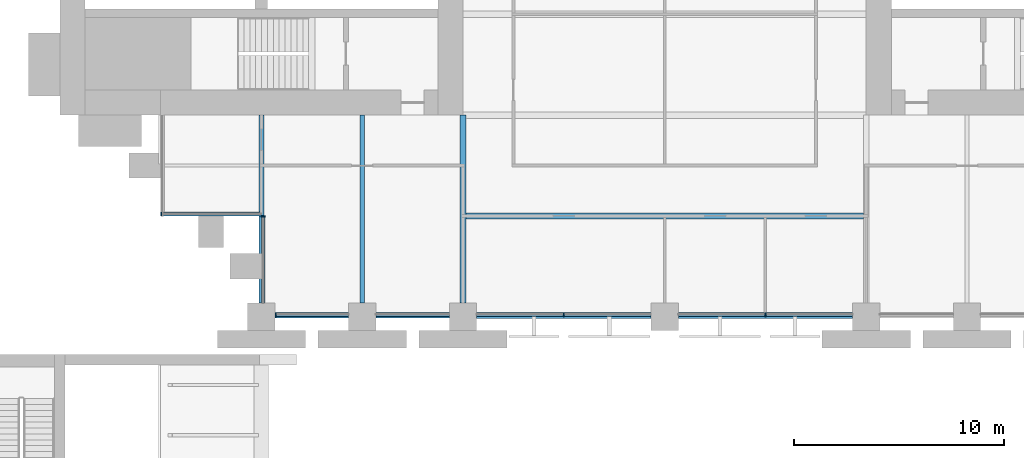
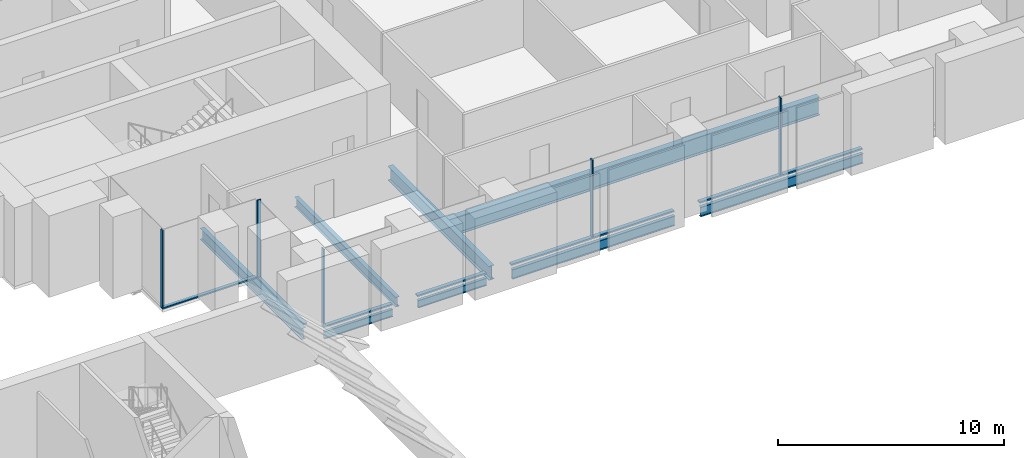
# One storey, part 6 of 30: 11 members, 8 beams, 3 elements without a shape of their own.
"""IFC4 building model written with IfcOpenShell, lengths in metres."""

import ifcopenshell
import ifcopenshell.guid

model = None  # the IFC model being written
_history = None  # IfcOwnerHistory: only IFC2X3 demands one
_inside = {}  # id of a spatial element -> (the spatial element, [elements in it])
_under = {}  # id of a project, library or spatial element -> (it, [spatial elements below it])
_declared = {}  # id of a project -> (the project, [libraries it declares])
_typed = {}  # id of a type object -> (the type object, [elements of that type])
_made_of = {}  # id of a material, layer set ... -> (it, [elements and type objects made of it])


def new_model(schema):
    """Start an empty IFC model of exactly this schema.

    Asked for "IFC4X3", IfcOpenShell would pick the latest addendum, in which some entities
    have other attributes; the version numbers below select the first issue.
    IFC2X3 requires an IfcOwnerHistory on every rooted entity: one is made here for all.
    """
    global model, _history
    if schema == "IFC4X3":
        model = ifcopenshell.file(schema_version=(4, 3, 0, 0))
    else:
        model = ifcopenshell.file(schema=schema)
    _inside.clear()
    _under.clear()
    _declared.clear()
    _typed.clear()
    _made_of.clear()
    _history = None
    if model.schema == "IFC2X3":
        org = make("IfcOrganization", Name="unknown")
        user = make(
            "IfcPersonAndOrganization",
            ThePerson=make("IfcPerson", FamilyName="unknown"),
            TheOrganization=org,
        )
        app = make(
            "IfcApplication",
            ApplicationDeveloper=org,
            Version="unknown",
            ApplicationFullName="unknown",
            ApplicationIdentifier="unknown",
        )
        _history = make(
            "IfcOwnerHistory",
            OwningUser=user,
            OwningApplication=app,
            ChangeAction="ADDED",
            CreationDate=0,
        )
    return model


def make(cls, **values):
    """One entity of the class cls with the attributes given. An attribute that is None is left unset."""
    return model.create_entity(
        cls, **{name: value for name, value in values.items() if value is not None}
    )


def rooted(cls, **values):
    """An entity with a GlobalId (a new one), such as an element, a storey or a relation."""
    return make(cls, GlobalId=ifcopenshell.guid.new(), OwnerHistory=_history, **values)


def si_unit(unit_type, name, prefix=None):
    """IfcSIUnit, for example si_unit("LENGTHUNIT", "METRE", prefix="MILLI")."""
    return make("IfcSIUnit", UnitType=unit_type, Prefix=prefix, Name=name)


def assignment(units):
    """IfcUnitAssignment: the units of a project."""
    return None if units is None else make("IfcUnitAssignment", Units=units)


def point(xyz):
    """IfcCartesianPoint."""
    return None if xyz is None else make("IfcCartesianPoint", Coordinates=xyz)


def direction(xyz):
    """IfcDirection."""
    return None if xyz is None else make("IfcDirection", DirectionRatios=xyz)


def frame(location, z_axis=None, x_axis=None):
    """IfcAxis2Placement3D, a coordinate frame: its origin and axes. An axis left out is left unset."""
    return make(
        "IfcAxis2Placement3D",
        Location=point(location),
        Axis=direction(z_axis),
        RefDirection=direction(x_axis),
    )


def frame_2d(location, x_axis=None):
    """IfcAxis2Placement2D, a coordinate frame in the plane: its origin and x axis."""
    return make(
        "IfcAxis2Placement2D", Location=point(location), RefDirection=direction(x_axis)
    )


def origin():
    """The frame at (0, 0, 0) with its axes left unset."""
    return frame((0.0, 0.0, 0.0))


def origin_2d():
    """The frame at (0, 0) in the plane with its x axis left unset."""
    return frame_2d((0.0, 0.0))


def place(relative_to, where):
    """IfcLocalPlacement: puts the frame where relative to a parent placement (None: the world)."""
    return make(
        "IfcLocalPlacement", PlacementRelTo=relative_to, RelativePlacement=where
    )


def context(
    kind, dimensions, precision=None, world=None, true_north=None, identifier=None
):
    """IfcGeometricRepresentationContext, for example the 3D "Model" context."""
    return make(
        "IfcGeometricRepresentationContext",
        ContextIdentifier=identifier,
        ContextType=kind,
        CoordinateSpaceDimension=dimensions,
        Precision=precision,
        WorldCoordinateSystem=world,
        TrueNorth=true_north,
    )


def subcontext(parent, identifier, kind, view, scale=None):
    """IfcGeometricRepresentationSubContext, for example "Body" below "Model"."""
    return make(
        "IfcGeometricRepresentationSubContext",
        ContextIdentifier=identifier,
        ContextType=kind,
        ParentContext=parent,
        TargetScale=scale,
        TargetView=view,
    )


def project(units=None, contexts=None):
    """IfcProject with its units and contexts."""
    return rooted(
        "IfcProject",
        Name="project",
        RepresentationContexts=contexts,
        UnitsInContext=assignment(units),
    )


def spatial(cls, under=None, at=None, **own):
    """A site, building, storey or space (cls), placed at a placement, below another one or the project."""
    s = rooted(cls, ObjectPlacement=at, **own)
    if under is not None:
        _under.setdefault(under.id(), (under, []))[1].append(s)
    return s


def profile(cls, at=None, kind="AREA", **sizes):
    """A parametric profile (cls). Its sizes go by their IFC names, for example OverallWidth=200.0."""
    return make(cls, ProfileType=kind, Position=at, **sizes)


def rectangle(**sizes):
    """IfcRectangleProfileDef."""
    return profile("IfcRectangleProfileDef", **sizes)


def i_section(**sizes):
    """IfcIShapeProfileDef."""
    return profile("IfcIShapeProfileDef", **sizes)


def extrude(swept, where, along, depth):
    """IfcExtrudedAreaSolid: the profile swept, set in the frame where, extruded along a direction by depth."""
    return make(
        "IfcExtrudedAreaSolid",
        SweptArea=swept,
        Position=where,
        ExtrudedDirection=direction(along),
        Depth=depth,
    )


def shape(context_of_items, identifier, shape_type, items):
    """IfcShapeRepresentation: the items that make up one representation, for example the "Body"."""
    return make(
        "IfcShapeRepresentation",
        ContextOfItems=context_of_items,
        RepresentationIdentifier=identifier,
        RepresentationType=shape_type,
        Items=items,
    )


def material(Name=None, Category=None):
    """IfcMaterial."""
    return make("IfcMaterial", Name=Name, Category=Category)


def material_profile(
    of_material, cross_section, Name=None, Category=None, Priority=None
):
    """IfcMaterialProfile: a cross section and its material."""
    return make(
        "IfcMaterialProfile",
        Name=Name,
        Material=of_material,
        Profile=cross_section,
        Priority=Priority,
        Category=Category,
    )


def profile_set(profiles, Name=None, composite=None):
    """IfcMaterialProfileSet."""
    return make(
        "IfcMaterialProfileSet",
        Name=Name,
        MaterialProfiles=profiles,
        CompositeProfile=composite,
    )


def made_of(thing, what):
    """Note that an element or type object is made of a material, layer set ...; save() writes the relation."""
    if what is not None:
        _made_of.setdefault(what.id(), (what, []))[1].append(thing)
    return thing


def type_object(cls, material=None, **own):
    """A type object (cls), such as IfcWallType, which elements share."""
    return made_of(rooted(cls, **own), material)


def element(
    cls,
    number,
    at=None,
    inside=None,
    cuts=None,
    type_object=None,
    material=None,
    context=None,
    identifier="Body",
    shape_type=None,
    held_by="IfcProductDefinitionShape",
    body=None,
    shapes=None,
    **own,
):
    """One element of the class cls, such as IfcWall. Its Tag is "e" and its number.

    at: its placement. inside: the storey or other place that contains it. cuts: it is an
    opening in that element (IfcRelVoidsElement). A single representation is given by context,
    identifier, shape_type and body (its items); several are given by shapes. held_by: the class
    of the entity that holds the representations. save() writes the other relations.
    """
    e = rooted(cls, Tag="e%d" % number, ObjectPlacement=at, **own)
    if body is not None:
        shapes = [shape(context, identifier, shape_type, body)]
    if shapes is not None:
        e.Representation = make(held_by, Representations=shapes)
    if inside is not None:
        _inside.setdefault(inside.id(), (inside, []))[1].append(e)
    if cuts is not None:
        rooted(
            "IfcRelVoidsElement", RelatingBuildingElement=cuts, RelatedOpeningElement=e
        )
    if type_object is not None:
        _typed.setdefault(type_object.id(), (type_object, []))[1].append(e)
    return made_of(e, material)


def aggregate(whole, parts):
    """IfcRelAggregates: a whole, such as a stair, and the parts it consists of."""
    return rooted("IfcRelAggregates", RelatingObject=whole, RelatedObjects=parts)


def save(model, path):
    """Write the relations noted so far, then the file.

    IfcRelAggregates (storeys below a building ...), IfcRelContainedInSpatialStructure (elements
    in a storey), IfcRelDefinesByType, IfcRelAssociatesMaterial and IfcRelDeclares: one each for
    every whole, place, type object, material and project.
    """
    for whole, parts in _under.values():
        aggregate(whole, parts)
    for where, things in _inside.values():
        rooted(
            "IfcRelContainedInSpatialStructure",
            RelatedElements=things,
            RelatingStructure=where,
        )
    for kind, things in _typed.values():
        rooted("IfcRelDefinesByType", RelatedObjects=things, RelatingType=kind)
    for what, things in _made_of.values():
        rooted("IfcRelAssociatesMaterial", RelatedObjects=things, RelatingMaterial=what)
    for by, libraries in _declared.values():
        rooted("IfcRelDeclares", RelatingContext=by, RelatedDefinitions=libraries)
    model.write(path)


model = new_model("IFC4")

# Units and contexts
model_context = context("Model", 3, precision=1e-05, world=origin(), true_north=direction((0.0, 1.0)))
body_context = subcontext(model_context, "Body", "Model", "MODEL_VIEW")
ifc_project = project(units=[si_unit("LENGTHUNIT", "METRE"), si_unit("AREAUNIT", "SQUARE_METRE"), si_unit("VOLUMEUNIT", "CUBIC_METRE"), si_unit("PLANEANGLEUNIT", "RADIAN"), si_unit("MASSUNIT", "GRAM", prefix="KILO")], contexts=[model_context])

# Site, building, storey
site_placement = place(None, origin())
site = spatial("IfcSite", under=ifc_project, at=site_placement, CompositionType="ELEMENT")
building_placement = place(site_placement, origin())
building = spatial("IfcBuilding", under=site, at=building_placement, Name="Baori Bourse Tower", CompositionType="ELEMENT")
storey_placement = place(building_placement, frame((0.0, 0.0, 17.0)))
storey = spatial("IfcBuildingStorey", under=building, at=storey_placement, Name="L02", CompositionType="ELEMENT", Elevation=17.0)

# Curtain wall, members
ifc_material_1 = material(Name="Pale anodised aluminium", Category="aluminium")
curtain_wall_type_1 = type_object("IfcCurtainWallType", Name="CW1 Curtain wall", PredefinedType="NOTDEFINED", material=ifc_material_1)
curtain_wall_1_placement = place(storey_placement, origin())
curtain_wall_1 = element("IfcCurtainWall", 1, at=curtain_wall_1_placement, inside=storey, type_object=curtain_wall_type_1, Name="Curtain wall CW1 L02 11", PredefinedType="NOTDEFINED")
ifc_material_2 = material(Name="Pale anodised aluminium", Category="aluminium")
ifc_material_profile_1 = material_profile(ifc_material_2, rectangle(XDim=0.199951171875, YDim=0.06005859375, at=origin_2d()), Name="Mullion 60x200")
ifc_profile_set_1 = profile_set([ifc_material_profile_1], Name="Pale anodised aluminium")
member_type_1 = type_object("IfcMemberType", Name="CW1 Curtain wall mullion", PredefinedType="MULLION", material=ifc_profile_set_1)
member_1_placement = place(storey_placement, frame((10.280029296875, 0.10009765625, 0.080078125), z_axis=(0.0, 0.0, 1.0), x_axis=(0.0, 1.0, 0.0)))
member_1 = element("IfcMember", 2, at=member_1_placement, type_object=member_type_1, Name="Curtain wall CW1 mullion", PredefinedType="MULLION", context=body_context, shape_type="SweptSolid", body=[
    extrude(rectangle(XDim=0.199951171875, YDim=0.06005859375, at=origin_2d()), origin(), (0.0, 0.0, 1.0), 4.159912109375),
])
member_2_placement = place(storey_placement, frame((24.0, 0.10009765625, 0.080078125), z_axis=(0.0, 0.0, 1.0), x_axis=(0.0, 1.0, 0.0)))
member_2 = element("IfcMember", 3, at=member_2_placement, type_object=member_type_1, Name="Curtain wall CW1 mullion", PredefinedType="MULLION", context=body_context, shape_type="SweptSolid", body=[
    extrude(rectangle(XDim=0.199951171875, YDim=0.06005859375, at=origin_2d()), origin(), (0.0, 0.0, 1.0), 4.159912109375),
])
member_3_placement = place(storey_placement, frame((33.60009765625, 0.10009765625, 0.080078125), z_axis=(0.0, 0.0, 1.0), x_axis=(0.0, 1.0, 0.0)))
member_3 = element("IfcMember", 4, at=member_3_placement, type_object=member_type_1, Name="Curtain wall CW1 mullion", PredefinedType="MULLION", context=body_context, shape_type="SweptSolid", body=[
    extrude(rectangle(XDim=0.199951171875, YDim=0.06005859375, at=origin_2d()), origin(), (0.0, 0.0, 1.0), 4.159912109375),
])
ifc_material_3 = material(Name="Pale anodised aluminium", Category="aluminium")
ifc_material_profile_2 = material_profile(ifc_material_3, rectangle(XDim=0.199951171875, YDim=0.080078125, at=origin_2d()), Name="Transom 80x200")
ifc_profile_set_2 = profile_set([ifc_material_profile_2], Name="Pale anodised aluminium")
member_type_2 = type_object("IfcMemberType", Name="CW1 Curtain wall transom", PredefinedType="USERDEFINED", material=ifc_profile_set_2)
member_4_placement = place(storey_placement, frame((10.25, 0.10009765625, 0.0400390625), z_axis=(1.0, 0.0, 0.0), x_axis=(0.0, 1.0, 0.0)))
member_4 = element("IfcMember", 5, at=member_4_placement, type_object=member_type_2, Name="Curtain wall CW1 sill rail", ObjectType="TRANSOM", PredefinedType="USERDEFINED", context=body_context, shape_type="SweptSolid", body=[
    extrude(rectangle(XDim=0.199951171875, YDim=0.080078125, at=origin_2d()), origin(), (0.0, 0.0, 1.0), 3.5),
])
member_5_placement = place(storey_placement, frame((15.050048828125, 0.10009765625, 0.0400390625), z_axis=(1.0, 0.0, 0.0), x_axis=(0.0, 1.0, 0.0)))
member_5 = element("IfcMember", 6, at=member_5_placement, type_object=member_type_2, Name="Curtain wall CW1 sill rail", ObjectType="TRANSOM", PredefinedType="USERDEFINED", context=body_context, shape_type="SweptSolid", body=[
    extrude(rectangle(XDim=0.199951171875, YDim=0.080078125, at=origin_2d()), origin(), (0.0, 0.0, 1.0), 3.5),
])
member_6_placement = place(storey_placement, frame((19.85009765625, 0.10009765625, 0.0400390625), z_axis=(1.0, 0.0, 0.0), x_axis=(0.0, 1.0, 0.0)))
member_6 = element("IfcMember", 7, at=member_6_placement, type_object=member_type_2, Name="Curtain wall CW1 sill rail", ObjectType="TRANSOM", PredefinedType="USERDEFINED", context=body_context, shape_type="SweptSolid", body=[
    extrude(rectangle(XDim=0.199951171875, YDim=0.080078125, at=origin_2d()), origin(), (0.0, 0.0, 1.0), 8.2998046875),
])
member_7_placement = place(storey_placement, frame((29.449951171875, 0.10009765625, 0.0400390625), z_axis=(1.0, 0.0, 0.0), x_axis=(0.0, 1.0, 0.0)))
member_7 = element("IfcMember", 8, at=member_7_placement, type_object=member_type_2, Name="Curtain wall CW1 sill rail", ObjectType="TRANSOM", PredefinedType="USERDEFINED", context=body_context, shape_type="SweptSolid", body=[
    extrude(rectangle(XDim=0.199951171875, YDim=0.080078125, at=origin_2d()), origin(), (0.0, 0.0, 1.0), 8.300048828125),
])
aggregate(curtain_wall_1, [member_4, member_1, member_5, member_6, member_2, member_7, member_3])

# Curtain wall, member
ifc_material_4 = material(Name="Pale anodised aluminium", Category="aluminium")
curtain_wall_type_2 = type_object("IfcCurtainWallType", Name="CW2 Curtain wall", PredefinedType="NOTDEFINED", material=ifc_material_4)
curtain_wall_2_placement = place(storey_placement, origin())
curtain_wall_2 = element("IfcCurtainWall", 9, at=curtain_wall_2_placement, inside=storey, type_object=curtain_wall_type_2, Name="Curtain wall CW2 L02 9", PredefinedType="NOTDEFINED")
ifc_material_5 = material(Name="Pale anodised aluminium", Category="aluminium")
ifc_material_profile_3 = material_profile(ifc_material_5, rectangle(XDim=0.179931640625, YDim=0.054931640625, at=origin_2d()), Name="Mullion 55x180")
ifc_profile_set_3 = profile_set([ifc_material_profile_3], Name="Pale anodised aluminium")
member_type_3 = type_object("IfcMemberType", Name="CW2 Curtain wall mullion", PredefinedType="MULLION", material=ifc_profile_set_3)
member_8_placement = place(storey_placement, frame((4.827392578125, 4.889892578125, 0.070068359375), z_axis=(0.0, 0.0, 1.0), x_axis=(0.0, 1.0, 0.0)))
member_8 = element("IfcMember", 10, at=member_8_placement, type_object=member_type_3, Name="Curtain wall CW2 mullion", PredefinedType="MULLION", context=body_context, shape_type="SweptSolid", body=[
    extrude(rectangle(XDim=0.179931640625, YDim=0.054931640625, at=origin_2d()), origin(), (0.0, 0.0, 1.0), 4.169921875),
])

curtain_wall_3_placement = place(storey_placement, origin())
curtain_wall_3 = element("IfcCurtainWall", 11, at=curtain_wall_3_placement, inside=storey, type_object=curtain_wall_type_2, Name="Curtain wall CW2 L02 10", PredefinedType="NOTDEFINED")
member_9_placement = place(storey_placement, frame((9.68994140625, 4.7724609375, 0.070068359375), z_axis=(0.0, 0.0, 1.0), x_axis=(1.0, 0.0, 0.0)))
member_9 = element("IfcMember", 12, at=member_9_placement, type_object=member_type_3, Name="Curtain wall CW2 mullion", PredefinedType="MULLION", context=body_context, shape_type="SweptSolid", body=[
    extrude(rectangle(XDim=0.179931640625, YDim=0.054931640625, at=origin_2d()), origin(), (0.0, 0.0, 1.0), 4.169921875),
])

# Member
ifc_material_6 = material(Name="Pale anodised aluminium", Category="aluminium")
ifc_material_profile_4 = material_profile(ifc_material_6, rectangle(XDim=0.179931640625, YDim=0.070068359375, at=origin_2d()), Name="Transom 70x180")
ifc_profile_set_4 = profile_set([ifc_material_profile_4], Name="Pale anodised aluminium")
member_type_4 = type_object("IfcMemberType", Name="CW2 Curtain wall transom", PredefinedType="USERDEFINED", material=ifc_profile_set_4)
member_10_placement = place(storey_placement, frame((4.800048828125, 4.889892578125, 0.034912109375), z_axis=(1.0, 0.0, 0.0), x_axis=(0.0, 1.0, 0.0)))
member_10 = element("IfcMember", 13, at=member_10_placement, type_object=member_type_4, Name="Curtain wall CW2 sill rail", ObjectType="TRANSOM", PredefinedType="USERDEFINED", context=body_context, shape_type="SweptSolid", body=[
    extrude(rectangle(XDim=0.179931640625, YDim=0.070068359375, at=origin_2d()), origin(), (0.0, 0.0, 1.0), 4.800048828125),
])

aggregate(curtain_wall_2, [member_10, member_8])

member_11_placement = place(storey_placement, frame((9.68994140625, 4.800048828125, 0.034912109375), z_axis=(0.0, -1.0, 0.0), x_axis=(1.0, 0.0, 0.0)))
member_11 = element("IfcMember", 14, at=member_11_placement, type_object=member_type_4, Name="Curtain wall CW2 sill rail", ObjectType="TRANSOM", PredefinedType="USERDEFINED", context=body_context, shape_type="SweptSolid", body=[
    extrude(rectangle(XDim=0.179931640625, YDim=0.070068359375, at=origin_2d()), origin(), (0.0, 0.0, 1.0), 4.150146484375),
])

aggregate(curtain_wall_3, [member_11, member_9])

# Beams
ifc_material_7 = material(Name="Steel A992 Gr 50", Category="steel")
ifc_material_profile_5 = material_profile(ifc_material_7, i_section(OverallWidth=0.140380859375, OverallDepth=0.40380859375, WebThickness=0.007080078125, FlangeThickness=0.01123046875, at=origin_2d()), Name="W16x31")
ifc_profile_set_5 = profile_set([ifc_material_profile_5], Name="Steel A992 Gr 50")
beam_type_1 = type_object("IfcBeamType", Name="Edge beam W16x31", PredefinedType="BEAM", material=ifc_profile_set_5)
for number, where, z_axis, x_axis, name in (
    (15, (10.25, 0.0, -0.36181640625), (1.0, 0.0, 0.0), (0.0, 1.0, 0.0), "Edge beam L02"),
    (16, (15.050048828125, 0.0, -0.36181640625), (1.0, 0.0, 0.0), (0.0, 1.0, 0.0), "Edge beam L02"),
):
    element("IfcBeam", number, at=place(storey_placement, frame(where, z_axis=z_axis, x_axis=x_axis)), inside=storey, type_object=beam_type_1, Name=name, PredefinedType="BEAM", context=body_context, shape_type="SweptSolid", body=[
        extrude(i_section(OverallWidth=0.140380859375, OverallDepth=0.40380859375, WebThickness=0.007080078125, FlangeThickness=0.01123046875, at=origin_2d()), origin(), (0.0, 0.0, 1.0), 3.5),
    ])
ifc_material_8 = material(Name="Steel A992 Gr 50", Category="steel")
ifc_material_profile_6 = material_profile(ifc_material_8, i_section(OverallWidth=0.1650390625, OverallDepth=0.52587890625, WebThickness=0.0087890625, FlangeThickness=0.011474609375, at=origin_2d()), Name="W21x44")
ifc_profile_set_6 = profile_set([ifc_material_profile_6], Name="Steel A992 Gr 50")
beam_type_2 = type_object("IfcBeamType", Name="Edge beam W21x44", PredefinedType="BEAM", material=ifc_profile_set_6)
beam_1_placement = place(storey_placement, frame((19.85009765625, 0.0, -0.4228515625), z_axis=(1.0, 0.0, 0.0), x_axis=(0.0, 1.0, 0.0)))
element("IfcBeam", 17, at=beam_1_placement, inside=storey, type_object=beam_type_2, Name="Edge beam L02", PredefinedType="BEAM", context=body_context, shape_type="SweptSolid", body=[
    extrude(i_section(OverallWidth=0.1650390625, OverallDepth=0.52587890625, WebThickness=0.0087890625, FlangeThickness=0.011474609375, at=origin_2d()), origin(), (0.0, 0.0, 1.0), 8.2998046875),
])
beam_2_placement = place(storey_placement, frame((29.449951171875, 0.0, -0.4228515625), z_axis=(1.0, 0.0, 0.0), x_axis=(0.0, 1.0, 0.0)))
element("IfcBeam", 18, at=beam_2_placement, inside=storey, type_object=beam_type_2, Name="Edge beam L02", PredefinedType="BEAM", context=body_context, shape_type="SweptSolid", body=[
    extrude(i_section(OverallWidth=0.1650390625, OverallDepth=0.52587890625, WebThickness=0.0087890625, FlangeThickness=0.011474609375, at=origin_2d()), origin(), (0.0, 0.0, 1.0), 8.300048828125),
])
ifc_material_9 = material(Name="Steel A992 Gr 50", Category="steel")
ifc_material_profile_7 = material_profile(ifc_material_9, i_section(OverallWidth=0.209228515625, OverallDepth=0.533447265625, WebThickness=0.01025390625, FlangeThickness=0.015625, at=origin_2d()), Name="W21x62")
ifc_profile_set_7 = profile_set([ifc_material_profile_7], Name="Steel A992 Gr 50")
beam_type_3 = type_object("IfcBeamType", Name="Floor beam W21x62", PredefinedType="BEAM", material=ifc_profile_set_7)
beam_3_placement = place(storey_placement, frame((14.39990234375, 0.64990234375, -0.4267578125), z_axis=(0.0, 1.0, 0.0), x_axis=(-1.0, 0.0, 0.0)))
element("IfcBeam", 19, at=beam_3_placement, inside=storey, type_object=beam_type_3, Name="Floor beam L02", PredefinedType="BEAM", context=body_context, shape_type="SweptSolid", body=[
    extrude(i_section(OverallWidth=0.209228515625, OverallDepth=0.533447265625, WebThickness=0.01025390625, FlangeThickness=0.015625, at=origin_2d()), origin(), (0.0, 0.0, 1.0), 8.9501953125),
])
ifc_material_10 = material(Name="Steel A992 Gr 50", Category="steel")
ifc_material_profile_8 = material_profile(ifc_material_10, i_section(OverallWidth=0.227783203125, OverallDepth=0.60205078125, WebThickness=0.010498046875, FlangeThickness=0.014892578125, at=origin_2d()), Name="W24x68")
ifc_profile_set_8 = profile_set([ifc_material_profile_8], Name="Steel A992 Gr 50")
beam_type_4 = type_object("IfcBeamType", Name="Floor beam W24x68", PredefinedType="BEAM", material=ifc_profile_set_8)
beam_4_placement = place(storey_placement, frame((9.60009765625, 0.64990234375, -0.4609375), z_axis=(0.0, 1.0, 0.0), x_axis=(-1.0, 0.0, 0.0)))
element("IfcBeam", 20, at=beam_4_placement, inside=storey, type_object=beam_type_4, Name="Floor beam L02", PredefinedType="BEAM", context=body_context, shape_type="SweptSolid", body=[
    extrude(i_section(OverallWidth=0.227783203125, OverallDepth=0.60205078125, WebThickness=0.010498046875, FlangeThickness=0.014892578125, at=origin_2d()), origin(), (0.0, 0.0, 1.0), 8.9501953125),
])
ifc_material_11 = material(Name="Steel A992 Gr 50", Category="steel")
ifc_material_profile_9 = material_profile(ifc_material_11, i_section(OverallWidth=0.2998046875, OverallDepth=0.97021484375, WebThickness=0.01611328125, FlangeThickness=0.02099609375, at=origin_2d()), Name="W40x149")
ifc_profile_set_9 = profile_set([ifc_material_profile_9], Name="Steel A992 Gr 50")
beam_type_5 = type_object("IfcBeamType", Name="Floor beam W40x149", PredefinedType="BEAM", material=ifc_profile_set_9)
beam_5_placement = place(storey_placement, frame((19.333251953125, 4.800048828125, -0.64501953125), z_axis=(1.0, 0.0, 0.0), x_axis=(0.0, 1.0, 0.0)))
element("IfcBeam", 21, at=beam_5_placement, inside=storey, type_object=beam_type_5, Name="Floor beam L02", PredefinedType="BEAM", context=body_context, shape_type="SweptSolid", body=[
    extrude(i_section(OverallWidth=0.2998046875, OverallDepth=0.97021484375, WebThickness=0.01611328125, FlangeThickness=0.02099609375, at=origin_2d()), origin(), (0.0, 0.0, 1.0), 18.933349609375),
])
ifc_material_12 = material(Name="Steel A992 Gr 50", Category="steel")
ifc_material_profile_10 = material_profile(ifc_material_12, i_section(OverallWidth=0.2666015625, OverallDepth=0.7568359375, WebThickness=0.013916015625, FlangeThickness=0.019287109375, at=origin_2d()), Name="W30x108")
ifc_profile_set_10 = profile_set([ifc_material_profile_10], Name="Steel A992 Gr 50")
beam_type_6 = type_object("IfcBeamType", Name="Girder W30x108", PredefinedType="BEAM", material=ifc_profile_set_10)
beam_6_placement = place(storey_placement, frame((19.199951171875, 0.64990234375, -0.53857421875), z_axis=(0.0, 1.0, 0.0), x_axis=(-1.0, 0.0, 0.0)))
element("IfcBeam", 22, at=beam_6_placement, inside=storey, type_object=beam_type_6, Name="Girder L02", PredefinedType="BEAM", context=body_context, shape_type="SweptSolid", body=[
    extrude(i_section(OverallWidth=0.2666015625, OverallDepth=0.7568359375, WebThickness=0.013916015625, FlangeThickness=0.019287109375, at=origin_2d()), origin(), (0.0, 0.0, 1.0), 8.9501953125),
])

save(model, "model.ifc")
